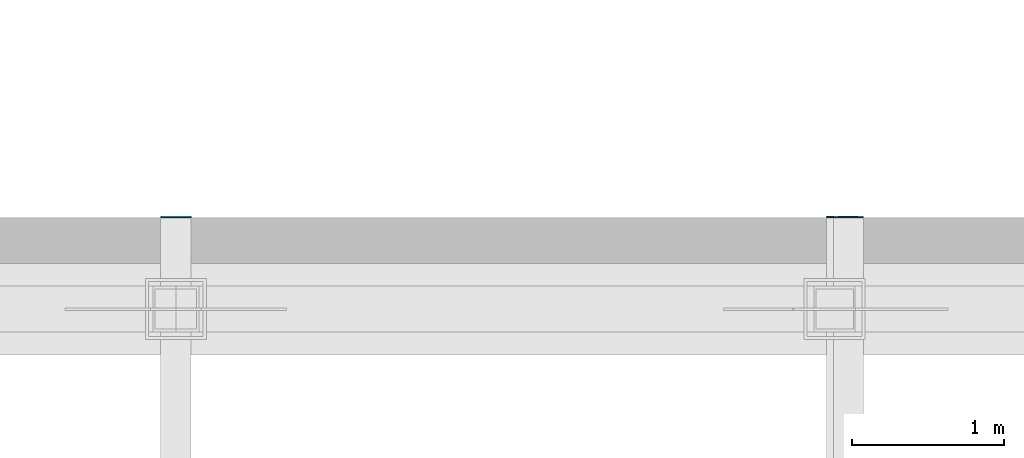
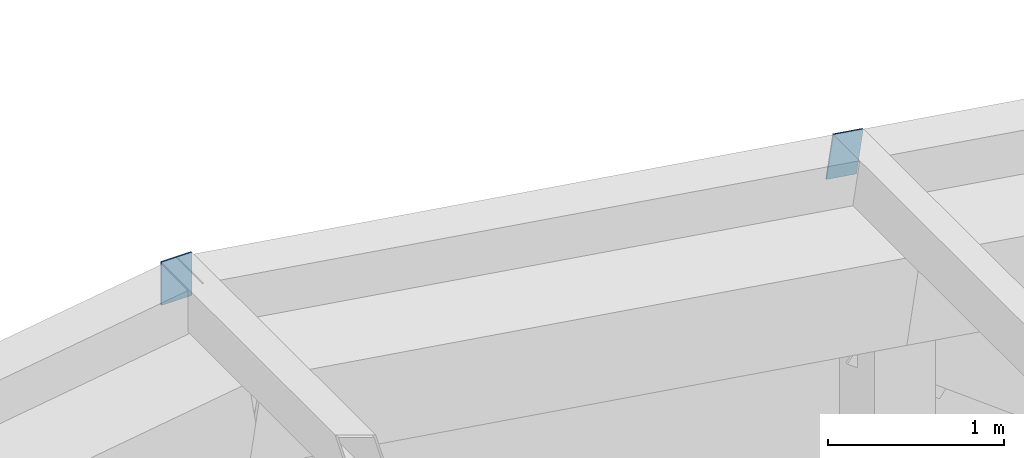
# One storey, part 27 of 32: 2 discrete accessories.
"""IFC4 building model written with IfcOpenShell, lengths in metres."""

import ifcopenshell
import ifcopenshell.guid

model = None  # the IFC model being written
_history = None  # IfcOwnerHistory: only IFC2X3 demands one
_inside = {}  # id of a spatial element -> (the spatial element, [elements in it])
_under = {}  # id of a project, library or spatial element -> (it, [spatial elements below it])
_declared = {}  # id of a project -> (the project, [libraries it declares])
_typed = {}  # id of a type object -> (the type object, [elements of that type])
_made_of = {}  # id of a material, layer set ... -> (it, [elements and type objects made of it])


def new_model(schema):
    """Start an empty IFC model of exactly this schema.

    Asked for "IFC4X3", IfcOpenShell would pick the latest addendum, in which some entities
    have other attributes; the version numbers below select the first issue.
    IFC2X3 requires an IfcOwnerHistory on every rooted entity: one is made here for all.
    """
    global model, _history
    if schema == "IFC4X3":
        model = ifcopenshell.file(schema_version=(4, 3, 0, 0))
    else:
        model = ifcopenshell.file(schema=schema)
    _inside.clear()
    _under.clear()
    _declared.clear()
    _typed.clear()
    _made_of.clear()
    _history = None
    if model.schema == "IFC2X3":
        org = make("IfcOrganization", Name="unknown")
        user = make(
            "IfcPersonAndOrganization",
            ThePerson=make("IfcPerson", FamilyName="unknown"),
            TheOrganization=org,
        )
        app = make(
            "IfcApplication",
            ApplicationDeveloper=org,
            Version="unknown",
            ApplicationFullName="unknown",
            ApplicationIdentifier="unknown",
        )
        _history = make(
            "IfcOwnerHistory",
            OwningUser=user,
            OwningApplication=app,
            ChangeAction="ADDED",
            CreationDate=0,
        )
    return model


def make(cls, **values):
    """One entity of the class cls with the attributes given. An attribute that is None is left unset."""
    return model.create_entity(
        cls, **{name: value for name, value in values.items() if value is not None}
    )


def rooted(cls, **values):
    """An entity with a GlobalId (a new one), such as an element, a storey or a relation."""
    return make(cls, GlobalId=ifcopenshell.guid.new(), OwnerHistory=_history, **values)


def si_unit(unit_type, name, prefix=None):
    """IfcSIUnit, for example si_unit("LENGTHUNIT", "METRE", prefix="MILLI")."""
    return make("IfcSIUnit", UnitType=unit_type, Prefix=prefix, Name=name)


def assignment(units):
    """IfcUnitAssignment: the units of a project."""
    return None if units is None else make("IfcUnitAssignment", Units=units)


def point(xyz):
    """IfcCartesianPoint."""
    return None if xyz is None else make("IfcCartesianPoint", Coordinates=xyz)


def direction(xyz):
    """IfcDirection."""
    return None if xyz is None else make("IfcDirection", DirectionRatios=xyz)


def frame(location, z_axis=None, x_axis=None):
    """IfcAxis2Placement3D, a coordinate frame: its origin and axes. An axis left out is left unset."""
    return make(
        "IfcAxis2Placement3D",
        Location=point(location),
        Axis=direction(z_axis),
        RefDirection=direction(x_axis),
    )


def origin():
    """The frame at (0, 0, 0) with its axes left unset."""
    return frame((0.0, 0.0, 0.0))


def place(relative_to, where):
    """IfcLocalPlacement: puts the frame where relative to a parent placement (None: the world)."""
    return make(
        "IfcLocalPlacement", PlacementRelTo=relative_to, RelativePlacement=where
    )


def context(
    kind, dimensions, precision=None, world=None, true_north=None, identifier=None
):
    """IfcGeometricRepresentationContext, for example the 3D "Model" context."""
    return make(
        "IfcGeometricRepresentationContext",
        ContextIdentifier=identifier,
        ContextType=kind,
        CoordinateSpaceDimension=dimensions,
        Precision=precision,
        WorldCoordinateSystem=world,
        TrueNorth=true_north,
    )


def subcontext(parent, identifier, kind, view, scale=None):
    """IfcGeometricRepresentationSubContext, for example "Body" below "Model"."""
    return make(
        "IfcGeometricRepresentationSubContext",
        ContextIdentifier=identifier,
        ContextType=kind,
        ParentContext=parent,
        TargetScale=scale,
        TargetView=view,
    )


def project(units=None, contexts=None):
    """IfcProject with its units and contexts."""
    return rooted(
        "IfcProject",
        Name="project",
        RepresentationContexts=contexts,
        UnitsInContext=assignment(units),
    )


def spatial(cls, under=None, at=None, **own):
    """A site, building, storey or space (cls), placed at a placement, below another one or the project."""
    s = rooted(cls, ObjectPlacement=at, **own)
    if under is not None:
        _under.setdefault(under.id(), (under, []))[1].append(s)
    return s


def polyline(points):
    """IfcPolyline through the points."""
    return make("IfcPolyline", Points=[point(p) for p in points])


def outline(outer, holes=None, kind="AREA"):
    """IfcArbitraryClosedProfileDef: a profile drawn as a closed curve; with holes, ...WithVoids."""
    if holes is None:
        return make("IfcArbitraryClosedProfileDef", ProfileType=kind, OuterCurve=outer)
    return make(
        "IfcArbitraryProfileDefWithVoids",
        ProfileType=kind,
        OuterCurve=outer,
        InnerCurves=holes,
    )


def extrude(swept, where, along, depth):
    """IfcExtrudedAreaSolid: the profile swept, set in the frame where, extruded along a direction by depth."""
    return make(
        "IfcExtrudedAreaSolid",
        SweptArea=swept,
        Position=where,
        ExtrudedDirection=direction(along),
        Depth=depth,
    )


def shape(context_of_items, identifier, shape_type, items):
    """IfcShapeRepresentation: the items that make up one representation, for example the "Body"."""
    return make(
        "IfcShapeRepresentation",
        ContextOfItems=context_of_items,
        RepresentationIdentifier=identifier,
        RepresentationType=shape_type,
        Items=items,
    )


def material(Name=None, Category=None):
    """IfcMaterial."""
    return make("IfcMaterial", Name=Name, Category=Category)


def layer(
    of_material, thickness, ventilated=None, Name=None, Category=None, Priority=None
):
    """IfcMaterialLayer: one layer of a wall or slab, of a material (None: an air gap)."""
    return make(
        "IfcMaterialLayer",
        Material=of_material,
        LayerThickness=thickness,
        IsVentilated=ventilated,
        Name=Name,
        Category=Category,
        Priority=Priority,
    )


def layer_set(layers, Name=None):
    """IfcMaterialLayerSet."""
    return make("IfcMaterialLayerSet", MaterialLayers=layers, LayerSetName=Name)


def made_of(thing, what):
    """Note that an element or type object is made of a material, layer set ...; save() writes the relation."""
    if what is not None:
        _made_of.setdefault(what.id(), (what, []))[1].append(thing)
    return thing


def type_object(cls, material=None, **own):
    """A type object (cls), such as IfcWallType, which elements share."""
    return made_of(rooted(cls, **own), material)


def element(
    cls,
    number,
    at=None,
    inside=None,
    cuts=None,
    type_object=None,
    material=None,
    context=None,
    identifier="Body",
    shape_type=None,
    held_by="IfcProductDefinitionShape",
    body=None,
    shapes=None,
    **own,
):
    """One element of the class cls, such as IfcWall. Its Tag is "e" and its number.

    at: its placement. inside: the storey or other place that contains it. cuts: it is an
    opening in that element (IfcRelVoidsElement). A single representation is given by context,
    identifier, shape_type and body (its items); several are given by shapes. held_by: the class
    of the entity that holds the representations. save() writes the other relations.
    """
    e = rooted(cls, Tag="e%d" % number, ObjectPlacement=at, **own)
    if body is not None:
        shapes = [shape(context, identifier, shape_type, body)]
    if shapes is not None:
        e.Representation = make(held_by, Representations=shapes)
    if inside is not None:
        _inside.setdefault(inside.id(), (inside, []))[1].append(e)
    if cuts is not None:
        rooted(
            "IfcRelVoidsElement", RelatingBuildingElement=cuts, RelatedOpeningElement=e
        )
    if type_object is not None:
        _typed.setdefault(type_object.id(), (type_object, []))[1].append(e)
    return made_of(e, material)


def aggregate(whole, parts):
    """IfcRelAggregates: a whole, such as a stair, and the parts it consists of."""
    return rooted("IfcRelAggregates", RelatingObject=whole, RelatedObjects=parts)


def save(model, path):
    """Write the relations noted so far, then the file.

    IfcRelAggregates (storeys below a building ...), IfcRelContainedInSpatialStructure (elements
    in a storey), IfcRelDefinesByType, IfcRelAssociatesMaterial and IfcRelDeclares: one each for
    every whole, place, type object, material and project.
    """
    for whole, parts in _under.values():
        aggregate(whole, parts)
    for where, things in _inside.values():
        rooted(
            "IfcRelContainedInSpatialStructure",
            RelatedElements=things,
            RelatingStructure=where,
        )
    for kind, things in _typed.values():
        rooted("IfcRelDefinesByType", RelatedObjects=things, RelatingType=kind)
    for what, things in _made_of.values():
        rooted("IfcRelAssociatesMaterial", RelatedObjects=things, RelatingMaterial=what)
    for by, libraries in _declared.values():
        rooted("IfcRelDeclares", RelatingContext=by, RelatedDefinitions=libraries)
    model.write(path)


model = new_model("IFC4")

# Units and contexts
model_context = context("Model", 3, precision=1e-05, world=origin(), true_north=direction((0.0, 1.0)))
body_context = subcontext(model_context, "Body", "Model", "MODEL_VIEW")
ifc_project = project(units=[si_unit("LENGTHUNIT", "METRE"), si_unit("AREAUNIT", "SQUARE_METRE"), si_unit("VOLUMEUNIT", "CUBIC_METRE"), si_unit("PLANEANGLEUNIT", "RADIAN"), si_unit("MASSUNIT", "GRAM", prefix="KILO")], contexts=[model_context])

# Site, building, storey
site_placement = place(None, origin())
site = spatial("IfcSite", under=ifc_project, at=site_placement, CompositionType="ELEMENT")
building_placement = place(site_placement, origin())
building = spatial("IfcBuilding", under=site, at=building_placement, Name="Aravalli Gate Trade Fair Centre", CompositionType="ELEMENT")
storey_placement = place(building_placement, frame((0.0, 0.0, 23.39990234375)))
storey = spatial("IfcBuildingStorey", under=building, at=storey_placement, Name="ROOF LEVEL 1", CompositionType="ELEMENT", Elevation=23.39990234375)

# Discrete accessories
ifc_material = material(Name="Steel E350", Category="steel")
ifc_layer = layer(ifc_material, 0.010009765625)
ifc_layer_set = layer_set([ifc_layer], Name="Steel E350")
discrete_accessory_type = type_object("IfcDiscreteAccessoryType", Name="End plate 200x300 x 10", PredefinedType="USERDEFINED", material=ifc_layer_set)
discrete_accessory_1_placement = place(storey_placement, frame((128.5, 109.610107421875, 5.106201171875), z_axis=(0.0, 1.0, 0.0), x_axis=(-1.0, 0.0, 0.0)))
element("IfcDiscreteAccessory", 1, at=discrete_accessory_1_placement, inside=storey, type_object=discrete_accessory_type, Name="End plate Roof purlin line 6 bay 5 end B", ObjectType="END CAP", PredefinedType="USERDEFINED", context=body_context, shape_type="SweptSolid", body=[
    extrude(outline(polyline([(0.0, 0.0), (0.199951171875, 0.0), (0.199951171875, 0.300048828125), (0.0, 0.300048828125), (0.0, 0.0)])), origin(), (0.0, 0.0, -1.0), 0.010009765625),
])
discrete_accessory_2_placement = place(storey_placement, frame((132.8642578125, 109.610107421875, 4.42138671875), z_axis=(0.0, 1.0, 0.0), x_axis=(-0.988484290215, 0.0, 0.151323520971)))
element("IfcDiscreteAccessory", 2, at=discrete_accessory_2_placement, inside=storey, type_object=discrete_accessory_type, Name="End plate Roof purlin line 7 bay 5 end B", ObjectType="END CAP", PredefinedType="USERDEFINED", context=body_context, shape_type="SweptSolid", body=[
    extrude(outline(polyline([(0.0, 0.0), (0.2000577128110791, 0.0), (0.2000577128110791, 0.30008656921661864), (0.0002413291724156566, 0.30004962499763155), (0.0, 0.0)])), origin(), (0.0, 0.0, -1.0), 0.010009765625),
])

save(model, "model.ifc")
